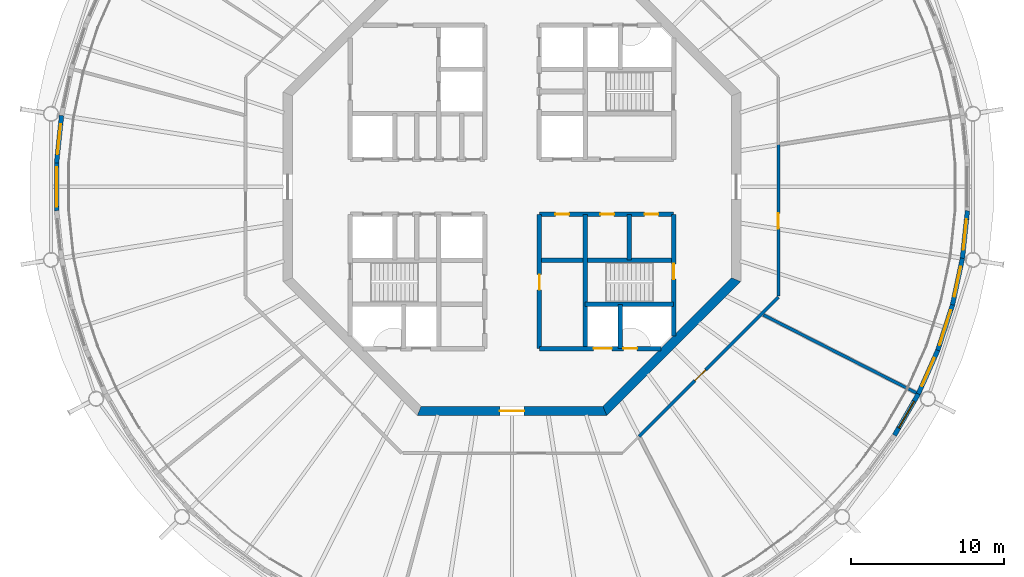
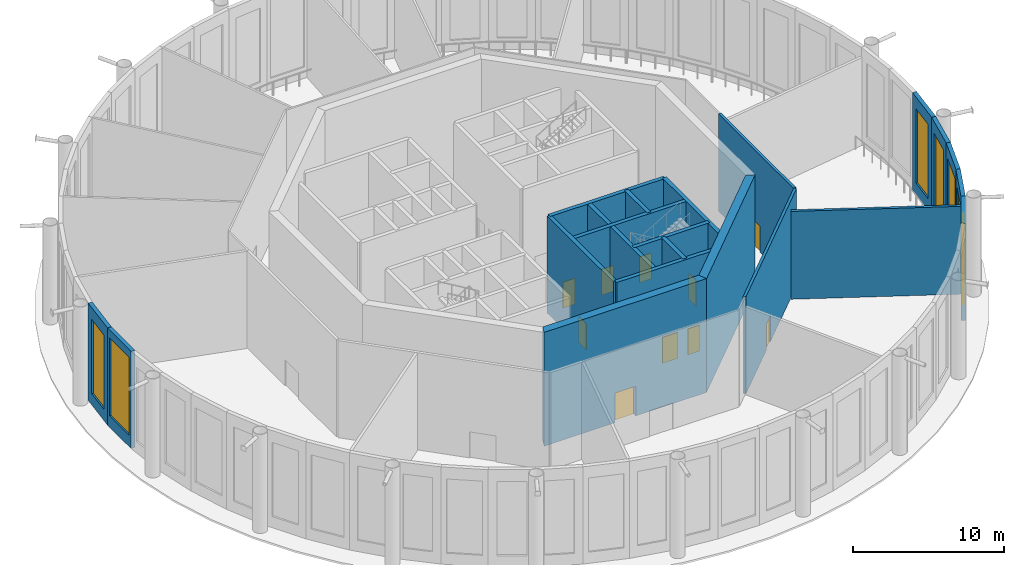
# One storey, part 5 of 17: 21 walls, 10 doors, 7 windows, 17 openings.
"""IFC4 building model written with IfcOpenShell, lengths in metres."""

from ifc_helpers import new_model, si_unit, direction, frame, frame_2d, origin, place, context, subcontext, project, spatial, polyline, rectangle, outline, extrude, material, layer, layer_set, type_object, element, fill, save


model = new_model("IFC4")

# Units and contexts
model_context = context("Model", 3, precision=1e-05, world=origin(), true_north=direction((0.0, 1.0)))
body_context = subcontext(model_context, "Body", "Model", "MODEL_VIEW")
ifc_project = project(units=[si_unit("LENGTHUNIT", "METRE"), si_unit("AREAUNIT", "SQUARE_METRE"), si_unit("VOLUMEUNIT", "CUBIC_METRE"), si_unit("PLANEANGLEUNIT", "RADIAN"), si_unit("MASSUNIT", "GRAM", prefix="KILO")], contexts=[model_context])

# Site, building, storey
site_placement = place(None, origin())
site = spatial("IfcSite", under=ifc_project, at=site_placement, CompositionType="ELEMENT")
building_placement = place(site_placement, origin())
building = spatial("IfcBuilding", under=site, at=building_placement, Name="Entoto Ring Tower", CompositionType="ELEMENT")
storey_placement = place(building_placement, frame((0.0, 0.0, 407.0)))
storey = spatial("IfcBuildingStorey", under=building, at=storey_placement, Name="L93", CompositionType="ELEMENT", Elevation=407.0)

# Wall, opening, door
ifc_material_1 = material(Name="Concrete C40/50", Category="concrete")
ifc_layer_1 = layer(ifc_material_1, 0.300048828125)
ifc_layer_set_1 = layer_set([ifc_layer_1], Name="Concrete C40/50")
wall_type_1 = type_object("IfcWallType", Name="Core enclosure wall 300 mm reinforced concrete", PredefinedType="SOLIDWALL", material=ifc_layer_set_1)
wall_1_placement = place(storey_placement, frame((100.60009765625, 70.2353515625, 0.0), z_axis=(0.0, 0.0, 1.0), x_axis=(0.0, 1.0, 0.0)))
wall_1 = element("IfcWall", 1, at=wall_1_placement, inside=storey, type_object=wall_type_1, Name="wall-L93-001", PredefinedType="SOLIDWALL", context=body_context, shape_type="SweptSolid", body=[
    extrude(rectangle(XDim=7.964599609375, YDim=0.300048828125, at=frame_2d((3.982421875, 0.0))), origin(), (0.0, 0.0, 1.0), 7.85009765625),
])
opening_1_placement = place(wall_1_placement, frame((3.714599609375, 0.0, 0.0)))
opening_1 = element("IfcOpeningElement", 2, at=opening_1_placement, cuts=wall_1, Name="Opening K-30", PredefinedType="OPENING", context=body_context, shape_type="SweptSolid", body=[
    extrude(rectangle(XDim=1.0, YDim=2.10009765625, at=frame_2d((0.5, 1.050048828125))), frame((0.0, 0.16015625, 0.0), z_axis=(0.0, -1.0, 0.0), x_axis=(1.0, 0.0, 0.0)), (0.0, 0.0, 1.0), 0.320068359375),
])
ifc_material_2 = material(Name="Steel door leaf, fire rated", Category="steel")
ifc_layer_2 = layer(ifc_material_2, 0.050048828125)
ifc_layer_set_2 = layer_set([ifc_layer_2], Name="Steel door leaf, fire rated")
door_type_1 = type_object("IfcDoorType", Name="Fire door FD60 1000 x 2100 single leaf", OperationType="NOTDEFINED", PredefinedType="DOOR", material=ifc_layer_set_2)
door_1_placement = place(opening_1_placement, origin())
door_1 = element("IfcDoor", 3, at=door_1_placement, inside=storey, type_object=door_type_1, Name="Door K-30", OperationType="SINGLE_SWING_RIGHT", OverallHeight=2.10009765625, OverallWidth=1.0, PredefinedType="DOOR", context=body_context, shape_type="SweptSolid", body=[
    extrude(rectangle(XDim=1.0, YDim=2.10009765625, at=frame_2d((0.5, 1.050048828125))), frame((0.0, 0.02490234375, 0.0), z_axis=(0.0, -1.0, 0.0), x_axis=(1.0, 0.0, 0.0)), (0.0, 0.0, 1.0), 0.050048828125),
])
fill(opening_1, door_1)

# Walls
wall_2_placement = place(storey_placement, frame((97.699951171875, 75.199951171875, 0.0), z_axis=(0.0, 0.0, 1.0), x_axis=(0.0, 1.0, 0.0)))
element("IfcWall", 4, at=wall_2_placement, inside=storey, type_object=wall_type_1, Name="wall-L93-003", PredefinedType="SOLIDWALL", context=body_context, shape_type="SweptSolid", body=[
    extrude(rectangle(XDim=3.0, YDim=0.300048828125, at=frame_2d((1.5, 0.0))), origin(), (0.0, 0.0, 1.0), 7.85009765625),
])
wall_3_placement = place(storey_placement, frame((97.10009765625, 69.39990234375, 0.0), z_axis=(0.0, 0.0, 1.0), x_axis=(0.0, 1.0, 0.0)))
element("IfcWall", 5, at=wall_3_placement, inside=storey, type_object=wall_type_1, Name="wall-L93-004", PredefinedType="SOLIDWALL", context=body_context, shape_type="SweptSolid", body=[
    extrude(rectangle(XDim=2.900146484375, YDim=0.300048828125, at=frame_2d((1.4501953125, 0.0))), origin(), (0.0, 0.0, 1.0), 7.85009765625),
])
wall_4_placement = place(storey_placement, frame((94.800048828125, 69.39990234375, 0.0), z_axis=(0.0, 0.0, 1.0), x_axis=(0.0, 1.0, 0.0)))
element("IfcWall", 6, at=wall_4_placement, inside=storey, type_object=wall_type_1, Name="wall-L93-006", PredefinedType="SOLIDWALL", context=body_context, shape_type="SweptSolid", body=[
    extrude(rectangle(XDim=8.800048828125, YDim=0.300048828125, at=frame_2d((4.39990234375, 0.0))), origin(), (0.0, 0.0, 1.0), 7.85009765625),
])

# Wall, opening, door
wall_5_placement = place(storey_placement, frame((91.800048828125, 69.39990234375, 0.0), z_axis=(0.0, 0.0, 1.0), x_axis=(0.0, 1.0, 0.0)))
wall_5 = element("IfcWall", 7, at=wall_5_placement, inside=storey, type_object=wall_type_1, Name="wall-L93-008", PredefinedType="SOLIDWALL", context=body_context, shape_type="SweptSolid", body=[
    extrude(rectangle(XDim=8.800048828125, YDim=0.300048828125, at=frame_2d((4.39990234375, 0.0))), origin(), (0.0, 0.0, 1.0), 7.85009765625),
])
opening_2_placement = place(wall_5_placement, frame((3.85009765625, 0.0, 0.0)))
opening_2 = element("IfcOpeningElement", 8, at=opening_2_placement, cuts=wall_5, Name="Opening K-70", PredefinedType="OPENING", context=body_context, shape_type="SweptSolid", body=[
    extrude(rectangle(XDim=1.0, YDim=2.10009765625, at=frame_2d((0.5, 1.050048828125))), frame((0.0, 0.16015625, 0.0), z_axis=(0.0, -1.0, 0.0), x_axis=(1.0, 0.0, 0.0)), (0.0, 0.0, 1.0), 0.320068359375),
])
ifc_material_3 = material(Name="Steel door leaf, fire rated", Category="steel")
ifc_layer_3 = layer(ifc_material_3, 0.050048828125)
ifc_layer_set_3 = layer_set([ifc_layer_3], Name="Steel door leaf, fire rated")
door_type_2 = type_object("IfcDoorType", Name="Accessible door 1000 x 2100 single leaf", OperationType="NOTDEFINED", PredefinedType="DOOR", material=ifc_layer_set_3)
door_2_placement = place(opening_2_placement, frame((1.0, 0.0, 0.0), z_axis=(0.0, 0.0, 1.0), x_axis=(-1.0, 0.0, 0.0)))
door_2 = element("IfcDoor", 9, at=door_2_placement, inside=storey, type_object=door_type_2, Name="Door K-70", OperationType="SINGLE_SWING_LEFT", OverallHeight=2.10009765625, OverallWidth=1.0, PredefinedType="DOOR", context=body_context, shape_type="SweptSolid", body=[
    extrude(rectangle(XDim=1.0, YDim=2.10009765625, at=frame_2d((0.5, 1.050048828125))), frame((0.0, 0.02490234375, 0.0), z_axis=(0.0, -1.0, 0.0), x_axis=(1.0, 0.0, 0.0)), (0.0, 0.0, 1.0), 0.050048828125),
])
fill(opening_2, door_2)

# Wall, openings, doors
wall_6_placement = place(storey_placement, frame((91.800048828125, 69.39990234375, 0.0), z_axis=(0.0, 0.0, 1.0), x_axis=(1.0, 0.0, 0.0)))
wall_6 = element("IfcWall", 10, at=wall_6_placement, inside=storey, type_object=wall_type_1, Name="wall-L93-023", PredefinedType="SOLIDWALL", context=body_context, shape_type="SweptSolid", body=[
    extrude(rectangle(XDim=7.964599609375, YDim=0.300048828125, at=frame_2d((3.982421875, 0.0))), origin(), (0.0, 0.0, 1.0), 7.85009765625),
])
opening_3_placement = place(wall_6_placement, frame((3.550048828125, 0.0, 0.0)))
opening_3 = element("IfcOpeningElement", 11, at=opening_3_placement, cuts=wall_6, Name="Opening LD", PredefinedType="OPENING", context=body_context, shape_type="SweptSolid", body=[
    extrude(rectangle(XDim=1.199951171875, YDim=2.10009765625, at=frame_2d((0.60009765625, 1.050048828125))), frame((0.0, 0.16015625, 0.0), z_axis=(0.0, -1.0, 0.0), x_axis=(1.0, 0.0, 0.0)), (0.0, 0.0, 1.0), 0.320068359375),
])
opening_4_placement = place(wall_6_placement, frame((5.5, 0.0, 0.0)))
opening_4 = element("IfcOpeningElement", 12, at=opening_4_placement, cuts=wall_6, Name="Opening K-33", PredefinedType="OPENING", context=body_context, shape_type="SweptSolid", body=[
    extrude(rectangle(XDim=0.89990234375, YDim=2.10009765625, at=frame_2d((0.449951171875, 1.050048828125))), frame((0.0, 0.16015625, 0.0), z_axis=(0.0, -1.0, 0.0), x_axis=(1.0, 0.0, 0.0)), (0.0, 0.0, 1.0), 0.320068359375),
])
ifc_material_4 = material(Name="Steel and glass door leaf", Category="steel")
ifc_layer_4 = layer(ifc_material_4, 0.050048828125)
ifc_layer_set_4 = layer_set([ifc_layer_4], Name="Steel and glass door leaf")
door_type_3 = type_object("IfcDoorType", Name="Landing door 1200 x 2100 sliding", OperationType="DOUBLE_DOOR_SLIDING", PredefinedType="DOOR", material=ifc_layer_set_4)
door_3_placement = place(opening_3_placement, origin())
door_3 = element("IfcDoor", 13, at=door_3_placement, inside=storey, type_object=door_type_3, Name="Landing door LB2-HR", OperationType="SLIDING_TO_RIGHT", OverallHeight=2.10009765625, OverallWidth=1.199951171875, PredefinedType="DOOR", context=body_context, shape_type="SweptSolid", body=[
    extrude(rectangle(XDim=1.199951171875, YDim=2.10009765625, at=frame_2d((0.60009765625, 1.050048828125))), frame((0.0, 0.02490234375, 0.0), z_axis=(0.0, -1.0, 0.0), x_axis=(1.0, 0.0, 0.0)), (0.0, 0.0, 1.0), 0.050048828125),
])
fill(opening_3, door_3)
ifc_material_5 = material(Name="Steel door leaf, fire rated", Category="steel")
ifc_layer_5 = layer(ifc_material_5, 0.050048828125)
ifc_layer_set_5 = layer_set([ifc_layer_5], Name="Steel door leaf, fire rated")
door_type_4 = type_object("IfcDoorType", Name="Riser door FD60 900 x 2100 single leaf", OperationType="NOTDEFINED", PredefinedType="DOOR", material=ifc_layer_set_5)
door_4_placement = place(opening_4_placement, origin())
door_4 = element("IfcDoor", 14, at=door_4_placement, inside=storey, type_object=door_type_4, Name="Door K-33", OperationType="SINGLE_SWING_LEFT", OverallHeight=2.10009765625, OverallWidth=0.89990234375, PredefinedType="DOOR", context=body_context, shape_type="SweptSolid", body=[
    extrude(rectangle(XDim=0.89990234375, YDim=2.10009765625, at=frame_2d((0.449951171875, 1.050048828125))), frame((0.0, 0.02490234375, 0.0), z_axis=(0.0, -1.0, 0.0), x_axis=(1.0, 0.0, 0.0)), (0.0, 0.0, 1.0), 0.050048828125),
])
fill(opening_4, door_4)

# Walls
wall_7_placement = place(storey_placement, frame((94.800048828125, 72.300048828125, 0.0), z_axis=(0.0, 0.0, 1.0), x_axis=(1.0, 0.0, 0.0)))
element("IfcWall", 15, at=wall_7_placement, inside=storey, type_object=wall_type_1, Name="wall-L93-025", PredefinedType="SOLIDWALL", context=body_context, shape_type="SweptSolid", body=[
    extrude(rectangle(XDim=5.800048828125, YDim=0.300048828125, at=frame_2d((2.89990234375, 0.0))), origin(), (0.0, 0.0, 1.0), 7.85009765625),
])
wall_8_placement = place(storey_placement, frame((91.800048828125, 75.199951171875, 0.0), z_axis=(0.0, 0.0, 1.0), x_axis=(1.0, 0.0, 0.0)))
element("IfcWall", 16, at=wall_8_placement, inside=storey, type_object=wall_type_1, Name="wall-L93-027", PredefinedType="SOLIDWALL", context=body_context, shape_type="SweptSolid", body=[
    extrude(rectangle(XDim=8.800048828125, YDim=0.300048828125, at=frame_2d((4.39990234375, 0.0))), origin(), (0.0, 0.0, 1.0), 7.85009765625),
])

# Wall, openings, doors
wall_9_placement = place(storey_placement, frame((91.800048828125, 78.199951171875, 0.0), z_axis=(0.0, 0.0, 1.0), x_axis=(1.0, 0.0, 0.0)))
wall_9 = element("IfcWall", 17, at=wall_9_placement, inside=storey, type_object=wall_type_1, Name="wall-L93-029", PredefinedType="SOLIDWALL", context=body_context, shape_type="SweptSolid", body=[
    extrude(rectangle(XDim=8.800048828125, YDim=0.300048828125, at=frame_2d((4.39990234375, 0.0))), origin(), (0.0, 0.0, 1.0), 7.85009765625),
])
opening_5_placement = place(wall_9_placement, frame((4.0, 0.0, 0.0)))
opening_5 = element("IfcOpeningElement", 18, at=opening_5_placement, cuts=wall_9, Name="Opening K-16", PredefinedType="OPENING", context=body_context, shape_type="SweptSolid", body=[
    extrude(rectangle(XDim=0.89990234375, YDim=2.10009765625, at=frame_2d((0.449951171875, 1.050048828125))), frame((0.0, 0.16015625, 0.0), z_axis=(0.0, -1.0, 0.0), x_axis=(1.0, 0.0, 0.0)), (0.0, 0.0, 1.0), 0.320068359375),
])
opening_6_placement = place(wall_9_placement, frame((6.89990234375, 0.0, 0.0)))
opening_6 = element("IfcOpeningElement", 19, at=opening_6_placement, cuts=wall_9, Name="Opening K-57", PredefinedType="OPENING", context=body_context, shape_type="SweptSolid", body=[
    extrude(rectangle(XDim=0.89990234375, YDim=2.10009765625, at=frame_2d((0.449951171875, 1.050048828125))), frame((0.0, 0.16015625, 0.0), z_axis=(0.0, -1.0, 0.0), x_axis=(1.0, 0.0, 0.0)), (0.0, 0.0, 1.0), 0.320068359375),
])
opening_7_placement = place(wall_9_placement, frame((1.050048828125, 0.0, 0.0)))
opening_7 = element("IfcOpeningElement", 20, at=opening_7_placement, cuts=wall_9, Name="Opening K-79", PredefinedType="OPENING", context=body_context, shape_type="SweptSolid", body=[
    extrude(rectangle(XDim=0.89990234375, YDim=2.10009765625, at=frame_2d((0.449951171875, 1.050048828125))), frame((0.0, 0.16015625, 0.0), z_axis=(0.0, -1.0, 0.0), x_axis=(1.0, 0.0, 0.0)), (0.0, 0.0, 1.0), 0.320068359375),
])
ifc_material_6 = material(Name="Steel door leaf, fire rated", Category="steel")
ifc_layer_6 = layer(ifc_material_6, 0.050048828125)
ifc_layer_set_6 = layer_set([ifc_layer_6], Name="Steel door leaf, fire rated")
door_type_5 = type_object("IfcDoorType", Name="Core door 900 x 2100 single leaf", OperationType="NOTDEFINED", PredefinedType="DOOR", material=ifc_layer_set_6)
door_5_placement = place(opening_5_placement, frame((0.89990234375, 0.0, 0.0), z_axis=(0.0, 0.0, 1.0), x_axis=(-1.0, 0.0, 0.0)))
door_5 = element("IfcDoor", 21, at=door_5_placement, inside=storey, type_object=door_type_5, Name="Door K-16", OperationType="SINGLE_SWING_RIGHT", OverallHeight=2.10009765625, OverallWidth=0.89990234375, PredefinedType="DOOR", context=body_context, shape_type="SweptSolid", body=[
    extrude(rectangle(XDim=0.89990234375, YDim=2.10009765625, at=frame_2d((0.449951171875, 1.050048828125))), frame((0.0, 0.02490234375, 0.0), z_axis=(0.0, -1.0, 0.0), x_axis=(1.0, 0.0, 0.0)), (0.0, 0.0, 1.0), 0.050048828125),
])
fill(opening_5, door_5)
door_6_placement = place(opening_6_placement, frame((0.89990234375, 0.0, 0.0), z_axis=(0.0, 0.0, 1.0), x_axis=(-1.0, 0.0, 0.0)))
door_6 = element("IfcDoor", 22, at=door_6_placement, inside=storey, type_object=door_type_5, Name="Door K-57", OperationType="SINGLE_SWING_LEFT", OverallHeight=2.10009765625, OverallWidth=0.89990234375, PredefinedType="DOOR", context=body_context, shape_type="SweptSolid", body=[
    extrude(rectangle(XDim=0.89990234375, YDim=2.10009765625, at=frame_2d((0.449951171875, 1.050048828125))), frame((0.0, 0.02490234375, 0.0), z_axis=(0.0, -1.0, 0.0), x_axis=(1.0, 0.0, 0.0)), (0.0, 0.0, 1.0), 0.050048828125),
])
fill(opening_6, door_6)
door_7_placement = place(opening_7_placement, frame((0.89990234375, 0.0, 0.0), z_axis=(0.0, 0.0, 1.0), x_axis=(-1.0, 0.0, 0.0)))
door_7 = element("IfcDoor", 23, at=door_7_placement, inside=storey, type_object=door_type_5, Name="Door K-79", OperationType="SINGLE_SWING_RIGHT", OverallHeight=2.10009765625, OverallWidth=0.89990234375, PredefinedType="DOOR", context=body_context, shape_type="SweptSolid", body=[
    extrude(rectangle(XDim=0.89990234375, YDim=2.10009765625, at=frame_2d((0.449951171875, 1.050048828125))), frame((0.0, 0.02490234375, 0.0), z_axis=(0.0, -1.0, 0.0), x_axis=(1.0, 0.0, 0.0)), (0.0, 0.0, 1.0), 0.050048828125),
])
fill(opening_7, door_7)

# Wall, opening, door
ifc_material_7 = material(Name="Concrete C40/50", Category="concrete")
ifc_layer_7 = layer(ifc_material_7, 0.60009765625)
ifc_layer_set_7 = layer_set([ifc_layer_7], Name="Concrete C40/50")
wall_type_2 = type_object("IfcWallType", Name="Core shear wall 600 mm reinforced concrete C40/50 to roof parapet", PredefinedType="SHEAR", material=ifc_layer_set_7)
wall_10_placement = place(storey_placement, frame((83.9111328125, 65.300048828125, 0.0), z_axis=(0.0, 0.0, 1.0), x_axis=(1.0, 0.0, 0.0)))
wall_10 = element("IfcWall", 24, at=wall_10_placement, inside=storey, type_object=wall_type_2, Name="wall-L93-core-6", PredefinedType="SHEAR", context=body_context, shape_type="SweptSolid", body=[
    extrude(outline(polyline([(-0.124267578125, -0.300048828125), (12.302001953125, -0.300048828125), (12.053466796875, 0.300048828125), (0.124267578125, 0.300048828125), (-0.124267578125, -0.300048828125)])), origin(), (0.0, 0.0, 1.0), 9.199951171875),
])
opening_8_placement = place(wall_10_placement, frame((5.288818359375, 0.0, 0.0)))
opening_8 = element("IfcOpeningElement", 25, at=opening_8_placement, cuts=wall_10, Name="Opening K-04", PredefinedType="OPENING", context=body_context, shape_type="SweptSolid", body=[
    extrude(rectangle(XDim=1.60009765625, YDim=2.39990234375, at=frame_2d((0.800048828125, 1.199951171875))), frame((0.0, 0.31005859375, 0.0), z_axis=(0.0, -1.0, 0.0), x_axis=(1.0, 0.0, 0.0)), (0.0, 0.0, 1.0), 0.6201171875),
])
ifc_material_8 = material(Name="Steel door leaf, fire rated", Category="steel")
ifc_layer_8 = layer(ifc_material_8, 0.050048828125)
ifc_layer_set_8 = layer_set([ifc_layer_8], Name="Steel door leaf, fire rated")
door_type_6 = type_object("IfcDoorType", Name="Entrance door FD60 1600 x 2400 double leaf", OperationType="DOUBLE_DOOR_SINGLE_SWING", PredefinedType="DOOR", material=ifc_layer_set_8)
door_8_placement = place(opening_8_placement, origin())
door_8 = element("IfcDoor", 26, at=door_8_placement, inside=storey, type_object=door_type_6, Name="Entrance door K-04", OperationType="DOUBLE_DOOR_SINGLE_SWING", OverallHeight=2.39990234375, OverallWidth=1.60009765625, PredefinedType="DOOR", context=body_context, shape_type="SweptSolid", body=[
    extrude(rectangle(XDim=1.60009765625, YDim=2.39990234375, at=frame_2d((0.800048828125, 1.199951171875))), frame((0.0, 0.02490234375, 0.0), z_axis=(0.0, -1.0, 0.0), x_axis=(1.0, 0.0, 0.0)), (0.0, 0.0, 1.0), 0.050048828125),
])
fill(opening_8, door_8)

# Wall
wall_11_placement = place(storey_placement, frame((96.0888671875, 65.300048828125, 0.0), z_axis=(0.0, 0.0, 1.0), x_axis=(0.707106781187, 0.707106781187, 0.0)))
element("IfcWall", 27, at=wall_11_placement, inside=storey, type_object=wall_type_2, Name="wall-L93-core-7", PredefinedType="SHEAR", context=body_context, shape_type="SweptSolid", body=[
    extrude(outline(polyline([(-0.124267578125, -0.300048828125), (12.30224609375, -0.300048828125), (12.0537109375, 0.300048828125), (0.124267578125, 0.300048828125), (-0.124267578125, -0.300048828125)])), origin(), (0.0, 0.0, 1.0), 9.199951171875),
])

# Wall, opening, window
ifc_material_9 = material(Name="Insulated aluminium rainscreen on steel studs", Category="steel")
ifc_layer_9 = layer(ifc_material_9, 0.300048828125)
ifc_layer_set_9 = layer_set([ifc_layer_9], Name="Insulated aluminium rainscreen on steel studs")
wall_type_3 = type_object("IfcWallType", Name="Observation facade wall 300 mm", PredefinedType="STANDARD", material=ifc_layer_set_9)
wall_12_placement = place(storey_placement, frame((60.468017578125, 84.677490234375, 0.0), z_axis=(0.0, 0.0, 1.0), x_axis=(-0.10453047738, -0.994521683674, 0.0)))
wall_12 = element("IfcWall", 28, at=wall_12_placement, inside=storey, type_object=wall_type_3, Name="OBSERVATION WALL 27", PredefinedType="STANDARD", context=body_context, shape_type="SweptSolid", body=[
    extrude(outline(polyline([(-0.0078125, -0.14990234375), (3.137451171875, -0.14990234375), (3.121826171875, 0.14990234375), (0.0078125, 0.14990234375), (-0.0078125, -0.14990234375)])), origin(), (0.0, 0.0, 1.0), 7.85009765625),
])
opening_9_placement = place(wall_12_placement, frame((0.56494140625, 0.0, 0.89990234375)))
opening_9 = element("IfcOpeningElement", 29, at=opening_9_placement, cuts=wall_12, Name="Opening W2", PredefinedType="OPENING", context=body_context, shape_type="SweptSolid", body=[
    extrude(rectangle(XDim=2.0, YDim=6.0, at=frame_2d((1.0, 3.0))), frame((0.0, 0.16015625, 0.0), z_axis=(0.0, -1.0, 0.0), x_axis=(1.0, 0.0, 0.0)), (0.0, 0.0, 1.0), 0.320068359375),
])
ifc_material_10 = material(Name="Clear low-iron glass in anodised aluminium frame", Category="aluminium")
window_type_1 = type_object("IfcWindowType", Name="Observation window W2 2000 x 6000 mm fixed", PartitioningType="SINGLE_PANEL", PredefinedType="WINDOW", material=ifc_material_10)
window_1_placement = place(opening_9_placement, origin())
window_1 = element("IfcWindow", 30, at=window_1_placement, inside=storey, type_object=window_type_1, Name="OBSERVATION WINDOW 27", OverallHeight=6.0, OverallWidth=2.0, PartitioningType="SINGLE_PANEL", PredefinedType="WINDOW", context=body_context, shape_type="SweptSolid", body=[
    extrude(rectangle(XDim=2.0, YDim=6.0, at=frame_2d((1.0, 3.0))), frame((0.0, 0.030029296875, 0.0), z_axis=(0.0, -1.0, 0.0), x_axis=(1.0, 0.0, 0.0)), (0.0, 0.0, 1.0), 0.06005859375),
])
fill(opening_9, window_1)

wall_13_placement = place(storey_placement, frame((60.140869140625, 81.56494140625, 0.0), z_axis=(0.0, 0.0, 1.0), x_axis=(0.0, -1.0, 0.0)))
wall_13 = element("IfcWall", 31, at=wall_13_placement, inside=storey, type_object=wall_type_3, Name="OBSERVATION WALL 28", PredefinedType="STANDARD", context=body_context, shape_type="SweptSolid", body=[
    extrude(outline(polyline([(-0.0078125, -0.14990234375), (3.1376953125, -0.14990234375), (3.1220703125, 0.14990234375), (0.0078125, 0.14990234375), (-0.0078125, -0.14990234375)])), origin(), (0.0, 0.0, 1.0), 7.85009765625),
])
opening_10_placement = place(wall_13_placement, frame((0.264892578125, 0.0, 0.89990234375)))
opening_10 = element("IfcOpeningElement", 32, at=opening_10_placement, cuts=wall_13, Name="Opening W3", PredefinedType="OPENING", context=body_context, shape_type="SweptSolid", body=[
    extrude(rectangle(XDim=2.60009765625, YDim=6.300048828125, at=frame_2d((1.300048828125, 3.14990234375))), frame((0.0, 0.16015625, 0.0), z_axis=(0.0, -1.0, 0.0), x_axis=(1.0, 0.0, 0.0)), (0.0, 0.0, 1.0), 0.320068359375),
])
ifc_material_11 = material(Name="Clear low-iron glass in anodised aluminium frame", Category="aluminium")
window_type_2 = type_object("IfcWindowType", Name="Observation window W3 2600 x 6300 mm fixed", PartitioningType="SINGLE_PANEL", PredefinedType="WINDOW", material=ifc_material_11)
window_2_placement = place(opening_10_placement, origin())
window_2 = element("IfcWindow", 33, at=window_2_placement, inside=storey, type_object=window_type_2, Name="OBSERVATION WINDOW 28", OverallHeight=6.300048828125, OverallWidth=2.60009765625, PartitioningType="SINGLE_PANEL", PredefinedType="WINDOW", context=body_context, shape_type="SweptSolid", body=[
    extrude(rectangle(XDim=2.60009765625, YDim=6.300048828125, at=frame_2d((1.300048828125, 3.14990234375))), frame((0.0, 0.030029296875, 0.0), z_axis=(0.0, -1.0, 0.0), x_axis=(1.0, 0.0, 0.0)), (0.0, 0.0, 1.0), 0.06005859375),
])
fill(opening_10, window_2)

wall_14_placement = place(storey_placement, frame((115.076171875, 63.71533203125, 0.0), z_axis=(0.0, 0.0, 1.0), x_axis=(0.5000150537, 0.866016712352, 0.0)))
wall_14 = element("IfcWall", 34, at=wall_14_placement, inside=storey, type_object=wall_type_3, Name="OBSERVATION WALL 53", PredefinedType="STANDARD", context=body_context, shape_type="SweptSolid", body=[
    extrude(outline(polyline([(-0.0078125, -0.14990234375), (3.1376953125, -0.14990234375), (3.1220703125, 0.14990234375), (0.0078125, 0.14990234375), (-0.0078125, -0.14990234375)])), origin(), (0.0, 0.0, 1.0), 7.85009765625),
])
opening_11_placement = place(wall_14_placement, frame((0.56494140625, 0.0, 0.89990234375)))
opening_11 = element("IfcOpeningElement", 35, at=opening_11_placement, cuts=wall_14, Name="Opening W2", PredefinedType="OPENING", context=body_context, shape_type="SweptSolid", body=[
    extrude(rectangle(XDim=2.0, YDim=6.0, at=frame_2d((1.0, 3.0))), frame((0.0, 0.16015625, 0.0), z_axis=(0.0, -1.0, 0.0), x_axis=(1.0, 0.0, 0.0)), (0.0, 0.0, 1.0), 0.320068359375),
])
window_3_placement = place(opening_11_placement, origin())
window_3 = element("IfcWindow", 36, at=window_3_placement, inside=storey, type_object=window_type_1, Name="OBSERVATION WINDOW 53", OverallHeight=6.0, OverallWidth=2.0, PartitioningType="SINGLE_PANEL", PredefinedType="WINDOW", context=body_context, shape_type="SweptSolid", body=[
    extrude(rectangle(XDim=2.0, YDim=6.0, at=frame_2d((1.0, 3.0))), frame((0.0, 0.030029296875, 0.0), z_axis=(0.0, -1.0, 0.0), x_axis=(1.0, 0.0, 0.0)), (0.0, 0.0, 1.0), 0.06005859375),
])
fill(opening_11, window_3)

wall_15_placement = place(storey_placement, frame((116.64111328125, 66.42578125, 0.0), z_axis=(0.0, 0.0, 1.0), x_axis=(0.406731881889, 0.913547577445, 0.0)))
wall_15 = element("IfcWall", 37, at=wall_15_placement, inside=storey, type_object=wall_type_3, Name="OBSERVATION WALL 54", PredefinedType="STANDARD", context=body_context, shape_type="SweptSolid", body=[
    extrude(outline(polyline([(-0.0078125, -0.14990234375), (3.137451171875, -0.14990234375), (3.121826171875, 0.14990234375), (0.0078125, 0.14990234375), (-0.0078125, -0.14990234375)])), origin(), (0.0, 0.0, 1.0), 7.85009765625),
])
opening_12_placement = place(wall_15_placement, frame((0.56494140625, 0.0, 0.89990234375)))
opening_12 = element("IfcOpeningElement", 38, at=opening_12_placement, cuts=wall_15, Name="Opening W2", PredefinedType="OPENING", context=body_context, shape_type="SweptSolid", body=[
    extrude(rectangle(XDim=2.0, YDim=6.0, at=frame_2d((1.0, 3.0))), frame((0.0, 0.16015625, 0.0), z_axis=(0.0, -1.0, 0.0), x_axis=(1.0, 0.0, 0.0)), (0.0, 0.0, 1.0), 0.320068359375),
])
window_4_placement = place(opening_12_placement, origin())
window_4 = element("IfcWindow", 39, at=window_4_placement, inside=storey, type_object=window_type_1, Name="OBSERVATION WINDOW 54", OverallHeight=6.0, OverallWidth=2.0, PartitioningType="SINGLE_PANEL", PredefinedType="WINDOW", context=body_context, shape_type="SweptSolid", body=[
    extrude(rectangle(XDim=2.0, YDim=6.0, at=frame_2d((1.0, 3.0))), frame((0.0, 0.030029296875, 0.0), z_axis=(0.0, -1.0, 0.0), x_axis=(1.0, 0.0, 0.0)), (0.0, 0.0, 1.0), 0.06005859375),
])
fill(opening_12, window_4)

wall_16_placement = place(storey_placement, frame((117.9140625, 69.284912109375, 0.0), z_axis=(0.0, 0.0, 1.0), x_axis=(0.309010219079, 0.951058717696, 0.0)))
wall_16 = element("IfcWall", 40, at=wall_16_placement, inside=storey, type_object=wall_type_3, Name="OBSERVATION WALL 55", PredefinedType="STANDARD", context=body_context, shape_type="SweptSolid", body=[
    extrude(outline(polyline([(-0.0078125, -0.14990234375), (3.13720703125, -0.14990234375), (3.12158203125, 0.14990234375), (0.0078125, 0.14990234375), (-0.0078125, -0.14990234375)])), origin(), (0.0, 0.0, 1.0), 7.85009765625),
])
opening_13_placement = place(wall_16_placement, frame((0.36474609375, 0.0, 0.89990234375)))
opening_13 = element("IfcOpeningElement", 41, at=opening_13_placement, cuts=wall_16, Name="Opening W1", PredefinedType="OPENING", context=body_context, shape_type="SweptSolid", body=[
    extrude(rectangle(XDim=2.39990234375, YDim=6.0, at=frame_2d((1.199951171875, 3.0))), frame((0.0, 0.16015625, 0.0), z_axis=(0.0, -1.0, 0.0), x_axis=(1.0, 0.0, 0.0)), (0.0, 0.0, 1.0), 0.320068359375),
])
ifc_material_12 = material(Name="Clear low-iron glass in anodised aluminium frame", Category="aluminium")
window_type_3 = type_object("IfcWindowType", Name="Observation window W1 2400 x 6000 mm fixed", PartitioningType="SINGLE_PANEL", PredefinedType="WINDOW", material=ifc_material_12)
window_5_placement = place(opening_13_placement, origin())
window_5 = element("IfcWindow", 42, at=window_5_placement, inside=storey, type_object=window_type_3, Name="OBSERVATION WINDOW 55", OverallHeight=6.0, OverallWidth=2.39990234375, PartitioningType="SINGLE_PANEL", PredefinedType="WINDOW", context=body_context, shape_type="SweptSolid", body=[
    extrude(rectangle(XDim=2.39990234375, YDim=6.0, at=frame_2d((1.199951171875, 3.0))), frame((0.0, 0.030029296875, 0.0), z_axis=(0.0, -1.0, 0.0), x_axis=(1.0, 0.0, 0.0)), (0.0, 0.0, 1.0), 0.06005859375),
])
fill(opening_13, window_5)

wall_17_placement = place(storey_placement, frame((118.881103515625, 72.26123046875, 0.0), z_axis=(0.0, 0.0, 1.0), x_axis=(0.207967911336, 0.978135649005, 0.0)))
wall_17 = element("IfcWall", 43, at=wall_17_placement, inside=storey, type_object=wall_type_3, Name="OBSERVATION WALL 56", PredefinedType="STANDARD", context=body_context, shape_type="SweptSolid", body=[
    extrude(outline(polyline([(-0.0078125, -0.14990234375), (3.137451171875, -0.14990234375), (3.121826171875, 0.14990234375), (0.0078125, 0.14990234375), (-0.0078125, -0.14990234375)])), origin(), (0.0, 0.0, 1.0), 7.85009765625),
])
opening_14_placement = place(wall_17_placement, frame((0.56494140625, 0.0, 0.89990234375)))
opening_14 = element("IfcOpeningElement", 44, at=opening_14_placement, cuts=wall_17, Name="Opening W2", PredefinedType="OPENING", context=body_context, shape_type="SweptSolid", body=[
    extrude(rectangle(XDim=2.0, YDim=6.0, at=frame_2d((1.0, 3.0))), frame((0.0, 0.16015625, 0.0), z_axis=(0.0, -1.0, 0.0), x_axis=(1.0, 0.0, 0.0)), (0.0, 0.0, 1.0), 0.320068359375),
])
window_6_placement = place(opening_14_placement, origin())
window_6 = element("IfcWindow", 45, at=window_6_placement, inside=storey, type_object=window_type_1, Name="OBSERVATION WINDOW 56", OverallHeight=6.0, OverallWidth=2.0, PartitioningType="SINGLE_PANEL", PredefinedType="WINDOW", context=body_context, shape_type="SweptSolid", body=[
    extrude(rectangle(XDim=2.0, YDim=6.0, at=frame_2d((1.0, 3.0))), frame((0.0, 0.030029296875, 0.0), z_axis=(0.0, -1.0, 0.0), x_axis=(1.0, 0.0, 0.0)), (0.0, 0.0, 1.0), 0.06005859375),
])
fill(opening_14, window_6)

wall_18_placement = place(storey_placement, frame((119.531982421875, 75.322509765625, 0.0), z_axis=(0.0, 0.0, 1.0), x_axis=(0.10453047738, 0.994521683674, 0.0)))
wall_18 = element("IfcWall", 46, at=wall_18_placement, inside=storey, type_object=wall_type_3, Name="OBSERVATION WALL 57", PredefinedType="STANDARD", context=body_context, shape_type="SweptSolid", body=[
    extrude(outline(polyline([(-0.0078125, -0.14990234375), (3.137451171875, -0.14990234375), (3.121826171875, 0.14990234375), (0.0078125, 0.14990234375), (-0.0078125, -0.14990234375)])), origin(), (0.0, 0.0, 1.0), 7.85009765625),
])
opening_15_placement = place(wall_18_placement, frame((0.56494140625, 0.0, 0.89990234375)))
opening_15 = element("IfcOpeningElement", 47, at=opening_15_placement, cuts=wall_18, Name="Opening W2", PredefinedType="OPENING", context=body_context, shape_type="SweptSolid", body=[
    extrude(rectangle(XDim=2.0, YDim=6.0, at=frame_2d((1.0, 3.0))), frame((0.0, 0.16015625, 0.0), z_axis=(0.0, -1.0, 0.0), x_axis=(1.0, 0.0, 0.0)), (0.0, 0.0, 1.0), 0.320068359375),
])
window_7_placement = place(opening_15_placement, origin())
window_7 = element("IfcWindow", 48, at=window_7_placement, inside=storey, type_object=window_type_1, Name="OBSERVATION WINDOW 57", OverallHeight=6.0, OverallWidth=2.0, PartitioningType="SINGLE_PANEL", PredefinedType="WINDOW", context=body_context, shape_type="SweptSolid", body=[
    extrude(rectangle(XDim=2.0, YDim=6.0, at=frame_2d((1.0, 3.0))), frame((0.0, 0.030029296875, 0.0), z_axis=(0.0, -1.0, 0.0), x_axis=(1.0, 0.0, 0.0)), (0.0, 0.0, 1.0), 0.06005859375),
])
fill(opening_15, window_7)

# Wall, opening, door
ifc_material_13 = material(Name="Concrete C20/25", Category="concrete")
ifc_layer_10 = layer(ifc_material_13, 0.199951171875)
ifc_layer_set_10 = layer_set([ifc_layer_10], Name="Concrete C20/25")
wall_type_4 = type_object("IfcWallType", Name="Plant room wall 200 mm two-hour concrete", PredefinedType="PARTITIONING", material=ifc_layer_set_10)
wall_19_placement = place(storey_placement, frame((98.335693359375, 63.64013671875, 0.0), z_axis=(0.0, 0.0, 1.0), x_axis=(0.707106781187, 0.707106781187, 0.0)))
wall_19 = element("IfcWall", 49, at=wall_19_placement, inside=storey, type_object=wall_type_4, Name="partition-L93-015", PredefinedType="PARTITIONING", context=body_context, shape_type="SweptSolid", body=[
    extrude(rectangle(XDim=12.9072265625, YDim=0.199951171875, at=frame_2d((6.45361328125, 0.0))), origin(), (0.0, 0.0, 1.0), 7.85009765625),
])
opening_16_placement = place(wall_19_placement, frame((5.173828125, 0.0, 0.0)))
opening_16 = element("IfcOpeningElement", 50, at=opening_16_placement, cuts=wall_19, Name="Opening A41-D11", PredefinedType="OPENING", context=body_context, shape_type="SweptSolid", body=[
    extrude(rectangle(XDim=1.0, YDim=2.10009765625, at=frame_2d((0.5, 1.050048828125))), frame((0.0, 0.10986328125, 0.0), z_axis=(0.0, -1.0, 0.0), x_axis=(1.0, 0.0, 0.0)), (0.0, 0.0, 1.0), 0.219970703125),
])
ifc_material_14 = material(Name="Fire-resisting steel door set", Category="steel")
door_type_7 = type_object("IfcDoorType", Name="Door 1000 x 2100 single leaf FD60 steel door", OperationType="NOTDEFINED", PredefinedType="DOOR", material=ifc_material_14)
door_9_placement = place(opening_16_placement, frame((1.0, 0.0, 0.0), z_axis=(0.0, 0.0, 1.0), x_axis=(-1.0, 0.0, 0.0)))
door_9 = element("IfcDoor", 51, at=door_9_placement, inside=storey, type_object=door_type_7, Name="Door A41-D11", OperationType="SINGLE_SWING_LEFT", OverallHeight=2.10009765625, OverallWidth=1.0, PredefinedType="DOOR", context=body_context, shape_type="SweptSolid", body=[
    extrude(rectangle(XDim=1.0, YDim=2.10009765625, at=frame_2d((0.5, 1.050048828125))), frame((0.0, 0.02490234375, 0.0), z_axis=(0.0, -1.0, 0.0), x_axis=(1.0, 0.0, 0.0)), (0.0, 0.0, 1.0), 0.050048828125),
])
fill(opening_16, door_9)

wall_20_placement = place(storey_placement, frame((107.46240234375, 72.83740234375, 0.0), z_axis=(0.0, 0.0, 1.0), x_axis=(0.0, 1.0, 0.0)))
wall_20 = element("IfcWall", 52, at=wall_20_placement, inside=storey, type_object=wall_type_4, Name="partition-L93-023", PredefinedType="PARTITIONING", context=body_context, shape_type="SweptSolid", body=[
    extrude(rectangle(XDim=9.928466796875, YDim=0.199951171875, at=frame_2d((4.96435546875, 0.0))), origin(), (0.0, 0.0, 1.0), 7.85009765625),
])
opening_17_placement = place(wall_20_placement, frame((4.42919921875, 0.0, 0.0)))
opening_17 = element("IfcOpeningElement", 53, at=opening_17_placement, cuts=wall_20, Name="Opening A41-D12", PredefinedType="OPENING", context=body_context, shape_type="SweptSolid", body=[
    extrude(rectangle(XDim=1.0, YDim=2.10009765625, at=frame_2d((0.5, 1.050048828125))), frame((0.0, 0.10986328125, 0.0), z_axis=(0.0, -1.0, 0.0), x_axis=(1.0, 0.0, 0.0)), (0.0, 0.0, 1.0), 0.219970703125),
])
door_10_placement = place(opening_17_placement, frame((1.0, 0.0, 0.0), z_axis=(0.0, 0.0, 1.0), x_axis=(-1.0, 0.0, 0.0)))
door_10 = element("IfcDoor", 54, at=door_10_placement, inside=storey, type_object=door_type_7, Name="Door A41-D12", OperationType="SINGLE_SWING_LEFT", OverallHeight=2.10009765625, OverallWidth=1.0, PredefinedType="DOOR", context=body_context, shape_type="SweptSolid", body=[
    extrude(rectangle(XDim=1.0, YDim=2.10009765625, at=frame_2d((0.5, 1.050048828125))), frame((0.0, 0.02490234375, 0.0), z_axis=(0.0, -1.0, 0.0), x_axis=(1.0, 0.0, 0.0)), (0.0, 0.0, 1.0), 0.050048828125),
])
fill(opening_17, door_10)

# Wall
ifc_material_15 = material(Name="Concrete C20/25", Category="concrete")
ifc_layer_11 = layer(ifc_material_15, 0.199951171875)
ifc_layer_set_11 = layer_set([ifc_layer_11], Name="Concrete C20/25")
wall_type_5 = type_object("IfcWallType", Name="Plant room wall 200 mm two-hour concrete, 7097 mm high", PredefinedType="PARTITIONING", material=ifc_layer_set_11)
wall_21_placement = place(storey_placement, frame((116.6767578125, 66.407470703125, 0.0), z_axis=(0.0, 0.0, 1.0), x_axis=(-0.891004320277, 0.453994825132, 0.0)))
element("IfcWall", 55, at=wall_21_placement, inside=storey, type_object=wall_type_5, Name="partition-L93-022", PredefinedType="PARTITIONING", context=body_context, shape_type="SweptSolid", body=[
    extrude(rectangle(XDim=11.44140625, YDim=0.199951171875, at=frame_2d((5.720703125, 0.0))), origin(), (0.0, 0.0, 1.0), 7.096923828125),
])

save(model, "model.ifc")
